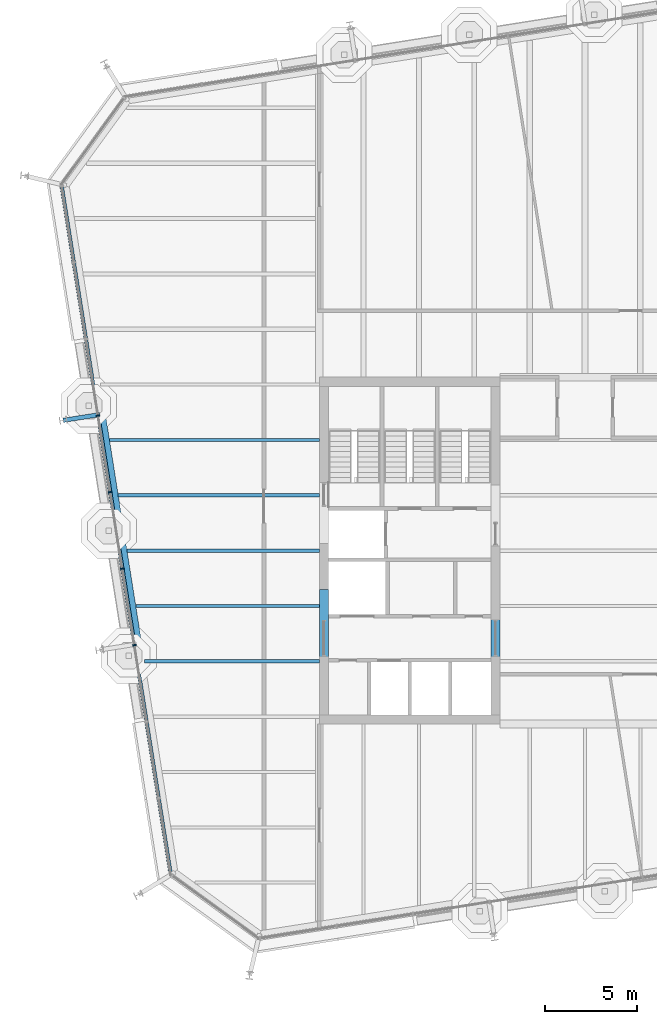
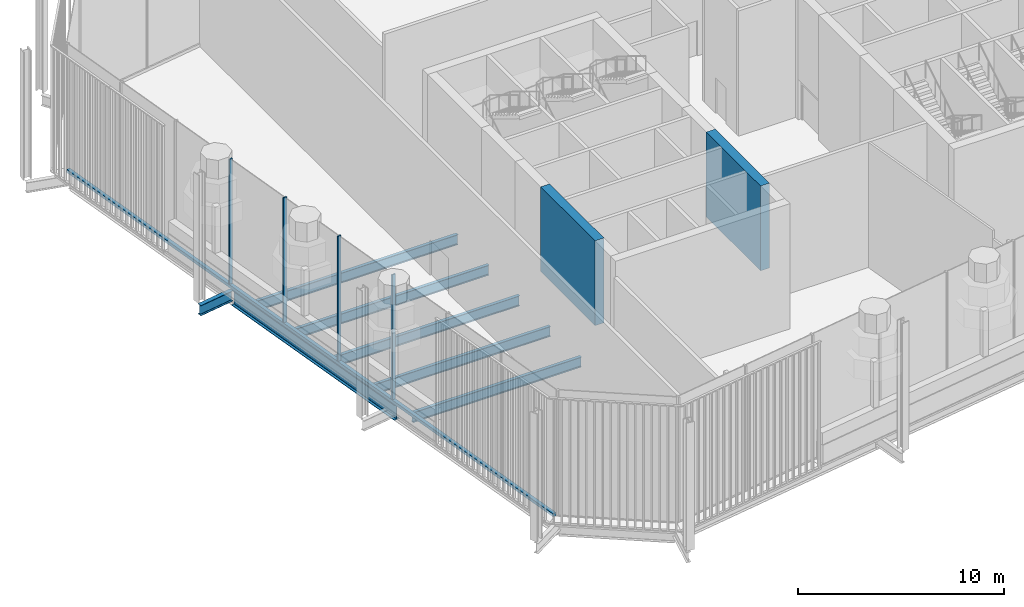
# One storey, part 4 of 17: 9 beams, 5 members, 1 element without a shape of its own.
"""IFC4 building model written with IfcOpenShell, lengths in metres."""

from ifc_helpers import new_model, si_unit, direction, frame, origin, origin_2d, place, context, subcontext, project, spatial, rectangle, i_section, extrude, material, layer, layer_set, material_profile, profile_set, type_object, element, aggregate, save


model = new_model("IFC4")

# Units and contexts
model_context = context("Model", 3, precision=1e-05, world=origin(), true_north=direction((0.0, 1.0)))
body_context = subcontext(model_context, "Body", "Model", "MODEL_VIEW")
ifc_project = project(units=[si_unit("LENGTHUNIT", "METRE"), si_unit("AREAUNIT", "SQUARE_METRE"), si_unit("VOLUMEUNIT", "CUBIC_METRE"), si_unit("PLANEANGLEUNIT", "RADIAN"), si_unit("MASSUNIT", "GRAM", prefix="KILO")], contexts=[model_context])

# Site, building, storey
site_placement = place(None, origin())
site = spatial("IfcSite", under=ifc_project, at=site_placement, CompositionType="ELEMENT")
building_placement = place(site_placement, origin())
building = spatial("IfcBuilding", under=site, at=building_placement, Name="Millrace Tower", CompositionType="ELEMENT")
storey_placement = place(building_placement, frame((0.0, 0.0, 239.800048828125)))
storey = spatial("IfcBuildingStorey", under=building, at=storey_placement, Name="L55", CompositionType="ELEMENT", Elevation=239.800048828125)

# Curtain wall, members
ifc_material_1 = material(Name="Aluminium and glass", Category="aluminium")
ifc_layer = layer(ifc_material_1, 0.199951171875)
ifc_layer_set = layer_set([ifc_layer], Name="Aluminium and glass")
curtain_wall_type = type_object("IfcCurtainWallType", Name="CW-4 sky garden winter glazing", PredefinedType="NOTDEFINED", material=ifc_layer_set)
curtain_wall_placement = place(storey_placement, origin())
curtain_wall = element("IfcCurtainWall", 1, at=curtain_wall_placement, inside=storey, type_object=curtain_wall_type, Name="Curtain wall D-F08 L55", PredefinedType="NOTDEFINED")
ifc_material_2 = material(Name="Aluminium", Category="aluminium")
ifc_material_profile_1 = material_profile(ifc_material_2, rectangle(XDim=0.080078125, YDim=0.199951171875, at=origin_2d()))
ifc_profile_set_1 = profile_set([ifc_material_profile_1], Name="Aluminium")
member_type_1 = type_object("IfcMemberType", Name="CW-4 sky garden winter glazing mullion", PredefinedType="MULLION", material=ifc_profile_set_1)
member_1_placement = place(storey_placement, frame((-26.394775390625, 7.3193359375, 0.179931640625), z_axis=(0.0, 0.0, 1.0), x_axis=(0.156434471884, -0.987688339511, 0.0)))
member_1 = element("IfcMember", 2, at=member_1_placement, type_object=member_type_1, Name="CW4 mullion D-F08.4", PredefinedType="MULLION", context=body_context, shape_type="SweptSolid", body=[
    extrude(rectangle(XDim=0.080078125, YDim=0.199951171875, at=origin_2d()), origin(), (0.0, 0.0, 1.0), 7.419921875),
])
member_2_placement = place(storey_placement, frame((-25.73779296875, 3.1708984375, 0.179931640625), z_axis=(0.0, 0.0, 1.0), x_axis=(0.156434471884, -0.987688339511, 0.0)))
member_2 = element("IfcMember", 3, at=member_2_placement, type_object=member_type_1, Name="CW4 mullion D-F08.5", PredefinedType="MULLION", context=body_context, shape_type="SweptSolid", body=[
    extrude(rectangle(XDim=0.080078125, YDim=0.199951171875, at=origin_2d()), origin(), (0.0, 0.0, 1.0), 7.419921875),
])
member_3_placement = place(storey_placement, frame((-25.080810546875, -0.977294921875, 0.179931640625), z_axis=(0.0, 0.0, 1.0), x_axis=(0.156434471884, -0.987688339511, 0.0)))
member_3 = element("IfcMember", 4, at=member_3_placement, type_object=member_type_1, Name="CW4 mullion D-F08.6", PredefinedType="MULLION", context=body_context, shape_type="SweptSolid", body=[
    extrude(rectangle(XDim=0.080078125, YDim=0.199951171875, at=origin_2d()), origin(), (0.0, 0.0, 1.0), 7.419921875),
])
member_4_placement = place(storey_placement, frame((-24.423828125, -5.12548828125, 0.179931640625), z_axis=(0.0, 0.0, 1.0), x_axis=(0.156434471884, -0.987688339511, 0.0)))
member_4 = element("IfcMember", 5, at=member_4_placement, type_object=member_type_1, Name="CW4 mullion D-F08.7", PredefinedType="MULLION", context=body_context, shape_type="SweptSolid", body=[
    extrude(rectangle(XDim=0.080078125, YDim=0.199951171875, at=origin_2d()), origin(), (0.0, 0.0, 1.0), 7.419921875),
])
ifc_material_3 = material(Name="Aluminium", Category="aluminium")
ifc_material_profile_2 = material_profile(ifc_material_3, rectangle(XDim=0.199951171875, YDim=0.179931640625, at=origin_2d()))
ifc_profile_set_2 = profile_set([ifc_material_profile_2], Name="Aluminium")
member_type_2 = type_object("IfcMemberType", Name="CW-4 sky garden winter glazing transom", PredefinedType="USERDEFINED", material=ifc_profile_set_2)
member_5_placement = place(storey_placement, frame((-28.356689453125, 19.704833984375, 0.08984375), z_axis=(0.156438693947, -0.987687670793, 0.0), x_axis=(0.987687670793, 0.156438693947, 0.0)))
member_5 = element("IfcMember", 6, at=member_5_placement, type_object=member_type_2, Name="CW4 transom D-F08.1", ObjectType="TRANSOM", PredefinedType="USERDEFINED", context=body_context, shape_type="SweptSolid", body=[
    extrude(rectangle(XDim=0.199951171875, YDim=0.179931640625, at=origin_2d()), origin(), (0.0, 0.0, 1.0), 37.599853515625),
])
aggregate(curtain_wall, [member_1, member_2, member_3, member_4, member_5])

# Beams
ifc_material_4 = material(Name="Concrete C60", Category="concrete")
ifc_material_profile_3 = material_profile(ifc_material_4, rectangle(XDim=0.5, YDim=5.0400390625, at=origin_2d()))
ifc_profile_set_3 = profile_set([ifc_material_profile_3], Name="Concrete C60")
beam_type_1 = type_object("IfcBeamType", Name="Coupling beam 500 x 5040 Concrete C60, 2000 opening", PredefinedType="BEAM", material=ifc_profile_set_3)
for number, where, z_axis, x_axis, name in (
    (7, (-14.14990234375, -7.39599609375, 4.919921875), (0.0, 1.0, 0.0), (-1.0, 0.0, 0.0), "Coupling beam W L55"),
    (8, (-4.85009765625, -7.39599609375, 4.919921875), (0.0, 1.0, 0.0), (-1.0, 0.0, 0.0), "Coupling beam W L55"),
):
    element("IfcBeam", number, at=place(storey_placement, frame(where, z_axis=z_axis, x_axis=x_axis)), inside=storey, type_object=beam_type_1, Name=name, PredefinedType="BEAM", context=body_context, shape_type="SweptSolid", body=[
        extrude(rectangle(XDim=0.5, YDim=5.0400390625, at=origin_2d()), origin(), (0.0, 0.0, 1.0), 5.2919921875),
    ])
ifc_material_5 = material(Name="Steel ASTM A992 Grade 50", Category="steel")
ifc_material_profile_4 = material_profile(ifc_material_5, i_section(OverallWidth=0.177978515625, OverallDepth=0.599365234375, WebThickness=0.010009765625, FlangeThickness=0.012939453125, FilletRadius=0.012939453125, at=origin_2d()))
ifc_profile_set_4 = profile_set([ifc_material_profile_4], Name="Steel ASTM A992 Grade 50")
beam_type_2 = type_object("IfcBeamType", Name="Floor beam W24x55", PredefinedType="JOIST", material=ifc_profile_set_4)
beam_1_placement = place(storey_placement, frame((-23.872802734375, -6.0, -0.5498046875), z_axis=(1.0, 0.0, 0.0), x_axis=(0.0, 1.0, 0.0)))
element("IfcBeam", 9, at=beam_1_placement, inside=storey, type_object=beam_type_2, Name="BM-D-L55-S1-S009", PredefinedType="JOIST", context=body_context, shape_type="SweptSolid", body=[
    extrude(i_section(OverallWidth=0.177978515625, OverallDepth=0.599365234375, WebThickness=0.010009765625, FlangeThickness=0.012939453125, FilletRadius=0.012939453125, at=origin_2d()), origin(), (0.0, 0.0, 1.0), 9.472900390625),
])
beam_2_placement = place(storey_placement, frame((-24.34814453125, -3.0, -0.5498046875), z_axis=(1.0, 0.0, 0.0), x_axis=(0.0, 1.0, 0.0)))
element("IfcBeam", 10, at=beam_2_placement, inside=storey, type_object=beam_type_2, Name="BM-D-L55-S1-S012", PredefinedType="JOIST", context=body_context, shape_type="SweptSolid", body=[
    extrude(i_section(OverallWidth=0.177978515625, OverallDepth=0.599365234375, WebThickness=0.010009765625, FlangeThickness=0.012939453125, FilletRadius=0.012939453125, at=origin_2d()), origin(), (0.0, 0.0, 1.0), 9.9482421875),
])
ifc_material_6 = material(Name="Steel ASTM A992 Grade 50", Category="steel")
ifc_material_profile_5 = material_profile(ifc_material_6, i_section(OverallWidth=0.1787109375, OverallDepth=0.60205078125, WebThickness=0.010986328125, FlangeThickness=0.014892578125, FilletRadius=0.0126953125, at=origin_2d()))
ifc_profile_set_5 = profile_set([ifc_material_profile_5], Name="Steel ASTM A992 Grade 50")
beam_type_3 = type_object("IfcBeamType", Name="Floor beam W24x62", PredefinedType="JOIST", material=ifc_profile_set_5)
beam_3_placement = place(storey_placement, frame((-24.8232421875, 0.0, -0.551025390625), z_axis=(1.0, 0.0, 0.0), x_axis=(0.0, 1.0, 0.0)))
element("IfcBeam", 11, at=beam_3_placement, inside=storey, type_object=beam_type_3, Name="BM-D-L55-S1-S015", PredefinedType="JOIST", context=body_context, shape_type="SweptSolid", body=[
    extrude(i_section(OverallWidth=0.1787109375, OverallDepth=0.60205078125, WebThickness=0.010986328125, FlangeThickness=0.014892578125, FilletRadius=0.0126953125, at=origin_2d()), origin(), (0.0, 0.0, 1.0), 10.42333984375),
])
beam_4_placement = place(storey_placement, frame((-25.29833984375, 3.0, -0.551025390625), z_axis=(1.0, 0.0, 0.0), x_axis=(0.0, 1.0, 0.0)))
element("IfcBeam", 12, at=beam_4_placement, inside=storey, type_object=beam_type_3, Name="BM-D-L55-S1-S018", PredefinedType="JOIST", context=body_context, shape_type="SweptSolid", body=[
    extrude(i_section(OverallWidth=0.1787109375, OverallDepth=0.60205078125, WebThickness=0.010986328125, FlangeThickness=0.014892578125, FilletRadius=0.0126953125, at=origin_2d()), origin(), (0.0, 0.0, 1.0), 10.8984375),
])
beam_5_placement = place(storey_placement, frame((-25.7734375, 6.0, -0.551025390625), z_axis=(1.0, 0.0, 0.0), x_axis=(0.0, 1.0, 0.0)))
element("IfcBeam", 13, at=beam_5_placement, inside=storey, type_object=beam_type_3, Name="BM-D-L55-S1-S021", PredefinedType="JOIST", context=body_context, shape_type="SweptSolid", body=[
    extrude(i_section(OverallWidth=0.1787109375, OverallDepth=0.60205078125, WebThickness=0.010986328125, FlangeThickness=0.014892578125, FilletRadius=0.0126953125, at=origin_2d()), origin(), (0.0, 0.0, 1.0), 11.37353515625),
])
ifc_material_7 = material(Name="Steel ASTM A992 Grade 50", Category="steel")
ifc_material_profile_6 = material_profile(ifc_material_7, i_section(OverallWidth=0.23046875, OverallDepth=0.6171875, WebThickness=0.01318359375, FlangeThickness=0.022216796875, FilletRadius=0.012939453125, at=origin_2d()))
ifc_profile_set_6 = profile_set([ifc_material_profile_6], Name="Steel ASTM A992 Grade 50")
beam_type_4 = type_object("IfcBeamType", Name="Link beam W24x94", PredefinedType="BEAM", material=ifc_profile_set_6)
beam_6_placement = place(storey_placement, frame((-26.302490234375, 7.37451171875, -0.55859375), z_axis=(-0.987678691416, -0.156495375404, 0.0), x_axis=(0.156495375404, -0.987678691416, 0.0)))
element("IfcBeam", 14, at=beam_6_placement, inside=storey, type_object=beam_type_4, Name="LNK-D-L55-S1-03", PredefinedType="BEAM", context=body_context, shape_type="SweptSolid", body=[
    extrude(i_section(OverallWidth=0.23046875, OverallDepth=0.6171875, WebThickness=0.01318359375, FlangeThickness=0.022216796875, FilletRadius=0.012939453125, at=origin_2d()), origin(), (0.0, 0.0, 1.0), 2.0),
])
ifc_material_8 = material(Name="Steel ASTM A992 Grade 50", Category="steel")
ifc_material_profile_7 = material_profile(ifc_material_8, i_section(OverallWidth=0.307373046875, OverallDepth=0.927001953125, WebThickness=0.01953125, FlangeThickness=0.031982421875, FilletRadius=0.01904296875, at=origin_2d()))
ifc_profile_set_7 = profile_set([ifc_material_profile_7], Name="Steel ASTM A992 Grade 50")
beam_type_5 = type_object("IfcBeamType", Name="Ring beam medium span W36x194", PredefinedType="SPANDREL", material=ifc_profile_set_7)
beam_7_placement = place(storey_placement, frame((-24.179443359375, -5.04638671875, -0.713623046875), z_axis=(-0.1564441342, 0.987686809102, 0.0), x_axis=(-0.987686809102, -0.1564441342, 0.0)))
element("IfcBeam", 15, at=beam_7_placement, inside=storey, type_object=beam_type_5, Name="RNG-D-L55-S1-02", PredefinedType="SPANDREL", context=body_context, shape_type="SweptSolid", body=[
    extrude(i_section(OverallWidth=0.307373046875, OverallDepth=0.927001953125, WebThickness=0.01953125, FlangeThickness=0.031982421875, FilletRadius=0.01904296875, at=origin_2d()), origin(), (0.0, 0.0, 1.0), 12.599853515625),
])

save(model, "model.ifc")
